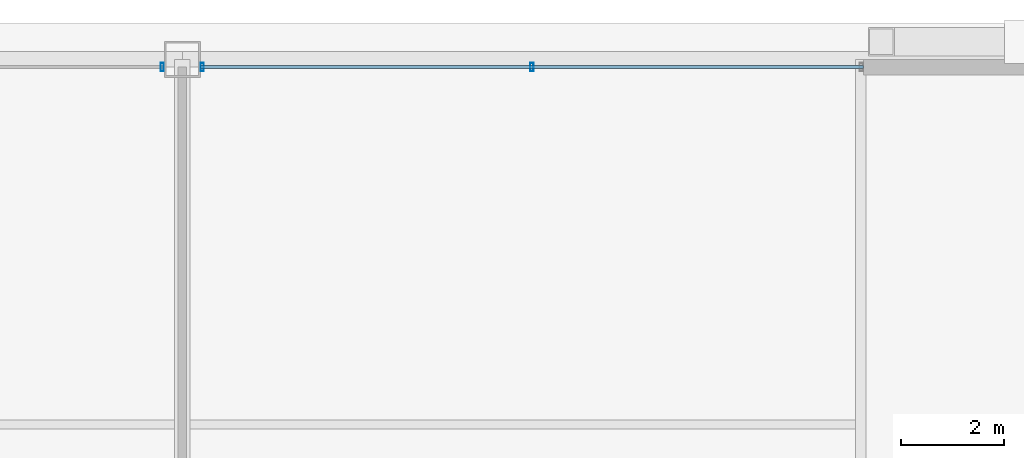
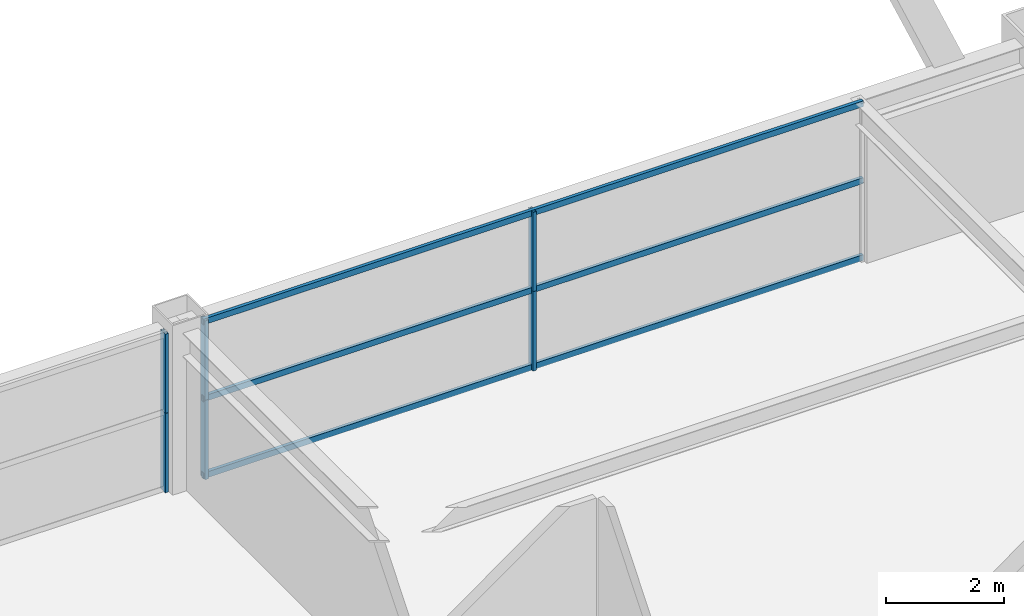
# One storey, part 27 of 35: 9 members, 2 elements without a shape of their own.
"""IFC4 building model written with IfcOpenShell, lengths in metres."""

from ifc_helpers import new_model, si_unit, direction, frame, origin, origin_2d, place, context, subcontext, project, spatial, hollow_rectangle, extrude, source, transform, mapped, material, layer, layer_set, material_profile, profile_set, type_object, element, aggregate, save


model = new_model("IFC4")

# Units and contexts
model_context = context("Model", 3, precision=1e-05, world=origin(), true_north=direction((0.0, 1.0)))
body_context = subcontext(model_context, "Body", "Model", "MODEL_VIEW")
ifc_project = project(units=[si_unit("LENGTHUNIT", "METRE"), si_unit("AREAUNIT", "SQUARE_METRE"), si_unit("VOLUMEUNIT", "CUBIC_METRE"), si_unit("PLANEANGLEUNIT", "RADIAN"), si_unit("MASSUNIT", "GRAM", prefix="KILO"), si_unit("THERMODYNAMICTEMPERATUREUNIT", "KELVIN"), si_unit("POWERUNIT", "WATT")], contexts=[model_context])

# Site, building, storey
site_placement = place(None, origin())
site = spatial("IfcSite", under=ifc_project, at=site_placement, CompositionType="ELEMENT")
building_placement = place(site_placement, origin())
building = spatial("IfcBuilding", under=site, at=building_placement, Name="Yuzanri Waterfront Tower", CompositionType="ELEMENT")
storey_placement = place(building_placement, frame((0.0, 0.0, 227.60009765625)))
storey = spatial("IfcBuildingStorey", under=building, at=storey_placement, Name="L60", CompositionType="ELEMENT", Elevation=227.60009765625)

# Curtain wall, members
ifc_material_1 = material(Name="Anodized Architectural Bronze", Category="metal")
ifc_layer = layer(ifc_material_1, 0.159912109375)
ifc_layer_set = layer_set([ifc_layer], Name="Anodized Architectural Bronze")
curtain_wall_type = type_object("IfcCurtainWallType", Name="Anodized Bronze Mid-Rise Residential Acoustic Unitized Curtain Wall 7200", PredefinedType="NOTDEFINED", material=ifc_layer_set)
curtain_wall_1_placement = place(storey_placement, origin())
curtain_wall_1 = element("IfcCurtainWall", 1, at=curtain_wall_1_placement, inside=storey, type_object=curtain_wall_type, Name="L60 Curtain Wall CW-L60-NL", PredefinedType="NOTDEFINED")
ifc_material_2 = material(Name="Anodized Architectural Bronze", Category="metal")
ifc_material_profile_1 = material_profile(ifc_material_2, hollow_rectangle(XDim=0.06494140625, YDim=0.159912109375, WallThickness=0.00341796875, at=origin_2d()), Name="CWM 65x160")
ifc_profile_set_1 = profile_set([ifc_material_profile_1], Name="Anodized Architectural Bronze")
member_type_1 = type_object("IfcMemberType", Name="Anodized Bronze Upper-Zone Curtain-Wall Mullion 65x160", PredefinedType="MULLION", material=ifc_profile_set_1)
shared_shape_1 = source(origin(), body_context, "Body", "SweptSolid", [
    extrude(hollow_rectangle(XDim=0.06494140625, YDim=0.159912109375, WallThickness=0.00341796875, at=origin_2d()), origin(), (0.0, 0.0, 1.0), 1.637939453125),
])
member_1_placement = place(storey_placement, frame((36.610107421875, 46.25, 0.0), z_axis=(0.0, 0.0, 1.0), x_axis=(1.0, 0.0, 0.0)))
member_1 = element("IfcMember", 2, at=member_1_placement, type_object=member_type_1, Name="CW-L60-NL Lower Mullion 02", PredefinedType="MULLION", context=body_context, shape_type="MappedRepresentation", body=[
    mapped(shared_shape_1, transform((0.0, 0.0, 0.0), scale=1.0)),
])
member_2_placement = place(storey_placement, frame((36.610107421875, 46.25, 1.641845703125), z_axis=(0.0, 0.0, 1.0), x_axis=(1.0, 0.0, 0.0)))
member_2 = element("IfcMember", 3, at=member_2_placement, type_object=member_type_1, Name="CW-L60-NL Upper Mullion 02", PredefinedType="MULLION", context=body_context, shape_type="MappedRepresentation", body=[
    mapped(shared_shape_1, transform((0.0, 0.0, 0.0), scale=1.0)),
])
aggregate(curtain_wall_1, [member_1, member_2])

curtain_wall_2_placement = place(storey_placement, origin())
curtain_wall_2 = element("IfcCurtainWall", 4, at=curtain_wall_2_placement, inside=storey, type_object=curtain_wall_type, Name="L60 Curtain Wall CW-L60-NR", PredefinedType="NOTDEFINED")
member_3_placement = place(storey_placement, frame((37.389892578125, 46.25, 0.0), z_axis=(0.0, 0.0, 1.0), x_axis=(1.0, 0.0, 0.0)))
member_3 = element("IfcMember", 5, at=member_3_placement, type_object=member_type_1, Name="CW-L60-NR Lower Mullion 00", PredefinedType="MULLION", context=body_context, shape_type="MappedRepresentation", body=[
    mapped(shared_shape_1, transform((0.0, 0.0, 0.0), scale=1.0)),
])
member_4_placement = place(storey_placement, frame((37.389892578125, 46.25, 1.641845703125), z_axis=(0.0, 0.0, 1.0), x_axis=(1.0, 0.0, 0.0)))
member_4 = element("IfcMember", 6, at=member_4_placement, type_object=member_type_1, Name="CW-L60-NR Upper Mullion 00", PredefinedType="MULLION", context=body_context, shape_type="MappedRepresentation", body=[
    mapped(shared_shape_1, transform((0.0, 0.0, 0.0), scale=1.0)),
])
member_5_placement = place(storey_placement, frame((43.800048828125, 46.25, 0.0), z_axis=(0.0, 0.0, 1.0), x_axis=(1.0, 0.0, 0.0)))
member_5 = element("IfcMember", 7, at=member_5_placement, type_object=member_type_1, Name="CW-L60-NR Lower Mullion 01", PredefinedType="MULLION", context=body_context, shape_type="MappedRepresentation", body=[
    mapped(shared_shape_1, transform((0.0, 0.0, 0.0), scale=1.0)),
])
member_6_placement = place(storey_placement, frame((43.800048828125, 46.25, 1.641845703125), z_axis=(0.0, 0.0, 1.0), x_axis=(1.0, 0.0, 0.0)))
member_6 = element("IfcMember", 8, at=member_6_placement, type_object=member_type_1, Name="CW-L60-NR Upper Mullion 01", PredefinedType="MULLION", context=body_context, shape_type="MappedRepresentation", body=[
    mapped(shared_shape_1, transform((0.0, 0.0, 0.0), scale=1.0)),
])
ifc_material_3 = material(Name="Anodized Architectural Bronze", Category="metal")
ifc_material_profile_2 = material_profile(ifc_material_3, hollow_rectangle(XDim=0.06494140625, YDim=0.1201171875, WallThickness=0.00341796875, at=origin_2d()), Name="CWT 65x120")
ifc_profile_set_2 = profile_set([ifc_material_profile_2], Name="Anodized Architectural Bronze")
member_type_2 = type_object("IfcMemberType", Name="Anodized Bronze Secondary Curtain-Wall Transom 65x120", PredefinedType="USERDEFINED", material=ifc_profile_set_2)
shared_shape_2 = source(origin(), body_context, "Body", "SweptSolid", [
    extrude(hollow_rectangle(XDim=0.06494140625, YDim=0.1201171875, WallThickness=0.00341796875, at=origin_2d()), origin(), (0.0, 0.0, 1.0), 12.89990234375),
])
member_7_placement = place(storey_placement, frame((37.35009765625, 46.25, 0.0498046875), z_axis=(1.0, 0.0, 0.0), x_axis=(0.0, 1.0, 0.0)))
member_7 = element("IfcMember", 9, at=member_7_placement, type_object=member_type_2, Name="CW-L60-NR Transom 1", ObjectType="TRANSOM", PredefinedType="USERDEFINED", context=body_context, shape_type="MappedRepresentation", body=[
    mapped(shared_shape_2, transform((0.0, 0.0, 0.0), scale=1.0)),
])
member_8_placement = place(storey_placement, frame((37.35009765625, 46.25, 1.639892578125), z_axis=(1.0, 0.0, 0.0), x_axis=(0.0, 1.0, 0.0)))
member_8 = element("IfcMember", 10, at=member_8_placement, type_object=member_type_2, Name="CW-L60-NR Transom 2", ObjectType="TRANSOM", PredefinedType="USERDEFINED", context=body_context, shape_type="MappedRepresentation", body=[
    mapped(shared_shape_2, transform((0.0, 0.0, 0.0), scale=1.0)),
])
member_9_placement = place(storey_placement, frame((37.35009765625, 46.25, 3.22998046875), z_axis=(1.0, 0.0, 0.0), x_axis=(0.0, 1.0, 0.0)))
member_9 = element("IfcMember", 11, at=member_9_placement, type_object=member_type_2, Name="CW-L60-NR Transom 3", ObjectType="TRANSOM", PredefinedType="USERDEFINED", context=body_context, shape_type="MappedRepresentation", body=[
    mapped(shared_shape_2, transform((0.0, 0.0, 0.0), scale=1.0)),
])
aggregate(curtain_wall_2, [member_3, member_4, member_5, member_6, member_7, member_8, member_9])

save(model, "model.ifc")
